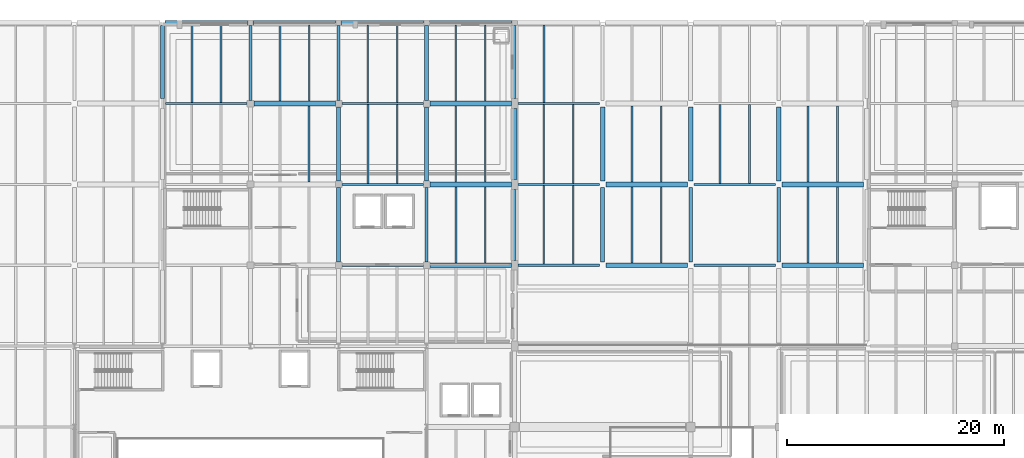
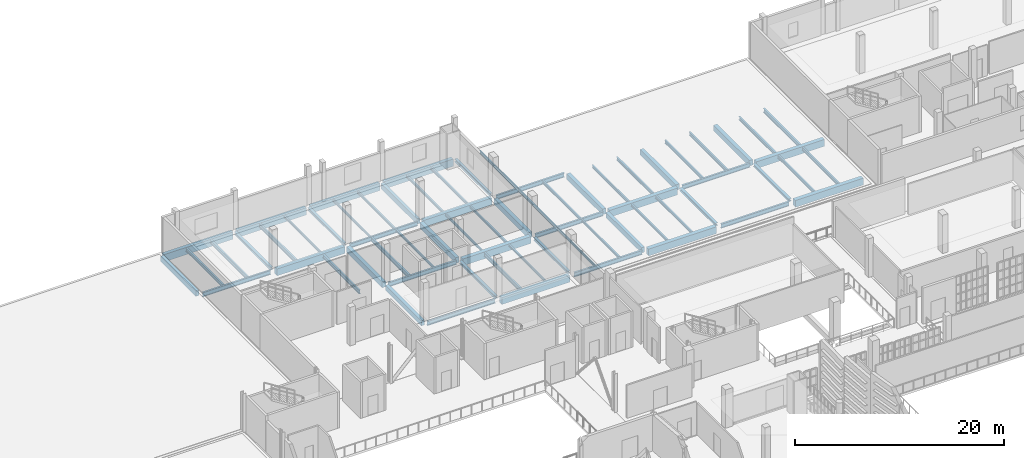
# One storey, part 32 of 73: 68 beams.
"""IFC4 building model written with IfcOpenShell, lengths in metres."""

from ifc_helpers import new_model, si_unit, direction, frame, origin, origin_2d, place, context, subcontext, project, spatial, rectangle, i_section, extrude, material, material_profile, profile_set, type_object, element, save


model = new_model("IFC4")

# Units and contexts
model_context = context("Model", 3, precision=1e-05, world=origin(), true_north=direction((0.0, 1.0)))
body_context = subcontext(model_context, "Body", "Model", "MODEL_VIEW")
ifc_project = project(units=[si_unit("LENGTHUNIT", "METRE"), si_unit("AREAUNIT", "SQUARE_METRE"), si_unit("VOLUMEUNIT", "CUBIC_METRE"), si_unit("PLANEANGLEUNIT", "RADIAN"), si_unit("MASSUNIT", "GRAM", prefix="KILO")], contexts=[model_context])

# Site, building, storey
site_placement = place(None, origin())
site = spatial("IfcSite", under=ifc_project, at=site_placement, CompositionType="ELEMENT")
building_placement = place(site_placement, origin())
building = spatial("IfcBuilding", under=site, at=building_placement, Name="Kaelora Sail Theatre", CompositionType="ELEMENT")
storey_placement = place(building_placement, frame((0.0, 0.0, 10.199951171875)))
storey = spatial("IfcBuildingStorey", under=building, at=storey_placement, Name="L02", CompositionType="ELEMENT", Elevation=10.199951171875)

# Beams
ifc_material_1 = material(Name="Steel S355", Category="steel")
ifc_material_profile_1 = material_profile(ifc_material_1, i_section(OverallWidth=0.300048828125, OverallDepth=0.31005859375, WebThickness=0.009033203125, FlangeThickness=0.015380859375, FilletRadius=0.027099609375, at=origin_2d()), Name="HEA 320")
ifc_profile_set_1 = profile_set([ifc_material_profile_1], Name="Steel S355")
beam_type_1 = type_object("IfcBeamType", Name="STR-BM-BM-HEA320", PredefinedType="BEAM", material=ifc_profile_set_1)
for number, where, z_axis, x_axis, name in (
    (1, (42.0, 105.9599609375, -0.449951171875), (0.0, 1.0, 0.0), (-1.0, 0.0, 0.0), "Primary beam 6 O-P (L02)"),
    (2, (50.10009765625, 105.9599609375, -0.449951171875), (0.0, 1.0, 0.0), (-1.0, 0.0, 0.0), "Primary beam 7 O-P (L02)"),
):
    element("IfcBeam", number, at=place(storey_placement, frame(where, z_axis=z_axis, x_axis=x_axis)), inside=storey, type_object=beam_type_1, Name=name, PredefinedType="BEAM", context=body_context, shape_type="SweptSolid", body=[
        extrude(i_section(OverallWidth=0.300048828125, OverallDepth=0.31005859375, WebThickness=0.009033203125, FlangeThickness=0.015380859375, FilletRadius=0.027099609375, at=origin_2d()), origin(), (0.0, 0.0, 1.0), 6.89013671875),
    ])
beam_1_placement = place(storey_placement, frame((58.199951171875, 91.080078125, -0.449951171875), z_axis=(0.0, 1.0, 0.0), x_axis=(-1.0, 0.0, 0.0)))
element("IfcBeam", 3, at=beam_1_placement, inside=storey, type_object=beam_type_1, Name="Primary beam 8 M-N (L02)", PredefinedType="BEAM", context=body_context, shape_type="SweptSolid", body=[
    extrude(i_section(OverallWidth=0.300048828125, OverallDepth=0.31005859375, WebThickness=0.009033203125, FlangeThickness=0.015380859375, FilletRadius=0.027099609375, at=origin_2d()), origin(), (0.0, 0.0, 1.0), 6.83984375),
])
beam_2_placement = place(storey_placement, frame((66.300048828125, 91.22998046875, -0.449951171875), z_axis=(0.0, 1.0, 0.0), x_axis=(-1.0, 0.0, 0.0)))
element("IfcBeam", 4, at=beam_2_placement, inside=storey, type_object=beam_type_1, Name="Primary beam 9 M-N (L02)", PredefinedType="BEAM", context=body_context, shape_type="SweptSolid", body=[
    extrude(i_section(OverallWidth=0.300048828125, OverallDepth=0.31005859375, WebThickness=0.009033203125, FlangeThickness=0.015380859375, FilletRadius=0.027099609375, at=origin_2d()), origin(), (0.0, 0.0, 1.0), 6.5400390625),
])
beam_3_placement = place(storey_placement, frame((66.300048828125, 106.110107421875, -0.449951171875), z_axis=(0.0, 1.0, 0.0), x_axis=(-1.0, 0.0, 0.0)))
element("IfcBeam", 5, at=beam_3_placement, inside=storey, type_object=beam_type_1, Name="Primary beam 9 O-P (L02)", PredefinedType="BEAM", context=body_context, shape_type="SweptSolid", body=[
    extrude(i_section(OverallWidth=0.300048828125, OverallDepth=0.31005859375, WebThickness=0.009033203125, FlangeThickness=0.015380859375, FilletRadius=0.027099609375, at=origin_2d()), origin(), (0.0, 0.0, 1.0), 6.739990234375),
])
for number, where, z_axis, x_axis, name in (
    (6, (82.5, 91.080078125, -0.449951171875), (0.0, 1.0, 0.0), (-1.0, 0.0, 0.0), "Primary beam 11 M-N (L02)"),
    (7, (90.60009765625, 91.080078125, -0.449951171875), (0.0, 1.0, 0.0), (-1.0, 0.0, 0.0), "Primary beam 12 M-N (L02)"),
):
    element("IfcBeam", number, at=place(storey_placement, frame(where, z_axis=z_axis, x_axis=x_axis)), inside=storey, type_object=beam_type_1, Name=name, PredefinedType="BEAM", context=body_context, shape_type="SweptSolid", body=[
        extrude(i_section(OverallWidth=0.300048828125, OverallDepth=0.31005859375, WebThickness=0.009033203125, FlangeThickness=0.015380859375, FilletRadius=0.027099609375, at=origin_2d()), origin(), (0.0, 0.0, 1.0), 6.83984375),
    ])
ifc_material_2 = material(Name="Steel S355", Category="steel")
ifc_material_profile_2 = material_profile(ifc_material_2, i_section(OverallWidth=0.18994140625, OverallDepth=0.449951171875, WebThickness=0.009521484375, FlangeThickness=0.0146484375, FilletRadius=0.02099609375, at=origin_2d()), Name="IPE 450")
ifc_profile_set_2 = profile_set([ifc_material_profile_2], Name="Steel S355")
beam_type_2 = type_object("IfcBeamType", Name="STR-BM-BM-IPE450", PredefinedType="BEAM", material=ifc_profile_set_2)
beam_4_placement = place(storey_placement, frame((39.300048828125, 105.760009765625, -0.52001953125), z_axis=(0.0, 1.0, 0.0), x_axis=(-1.0, 0.0, 0.0)))
element("IfcBeam", 8, at=beam_4_placement, inside=storey, type_object=beam_type_2, Name="Secondary floor joist 5/O-2 (L02)", PredefinedType="BEAM", context=body_context, shape_type="SweptSolid", body=[
    extrude(i_section(OverallWidth=0.18994140625, OverallDepth=0.449951171875, WebThickness=0.009521484375, FlangeThickness=0.0146484375, FilletRadius=0.02099609375, at=origin_2d()), origin(), (0.0, 0.0, 1.0), 7.139892578125),
])
beam_5_placement = place(storey_placement, frame((47.39990234375, 98.445068359375, -0.52001953125), z_axis=(0.0, 1.0, 0.0), x_axis=(-1.0, 0.0, 0.0)))
element("IfcBeam", 9, at=beam_5_placement, inside=storey, type_object=beam_type_2, Name="Secondary floor joist 6/N-2 (L02)", PredefinedType="BEAM", context=body_context, shape_type="SweptSolid", body=[
    extrude(i_section(OverallWidth=0.18994140625, OverallDepth=0.449951171875, WebThickness=0.009521484375, FlangeThickness=0.0146484375, FilletRadius=0.02099609375, at=origin_2d()), origin(), (0.0, 0.0, 1.0), 6.989990234375),
])
beam_6_placement = place(storey_placement, frame((44.699951171875, 105.885009765625, -0.52001953125), z_axis=(0.0, 1.0, 0.0), x_axis=(-1.0, 0.0, 0.0)))
element("IfcBeam", 10, at=beam_6_placement, inside=storey, type_object=beam_type_2, Name="Secondary floor joist 6/O-1 (L02)", PredefinedType="BEAM", context=body_context, shape_type="SweptSolid", body=[
    extrude(i_section(OverallWidth=0.18994140625, OverallDepth=0.449951171875, WebThickness=0.009521484375, FlangeThickness=0.0146484375, FilletRadius=0.02099609375, at=origin_2d()), origin(), (0.0, 0.0, 1.0), 7.014892578125),
])
beam_7_placement = place(storey_placement, frame((52.800048828125, 98.320068359375, -0.52001953125), z_axis=(0.0, 1.0, 0.0), x_axis=(-1.0, 0.0, 0.0)))
element("IfcBeam", 11, at=beam_7_placement, inside=storey, type_object=beam_type_2, Name="Secondary floor joist 7/N-1 (L02)", PredefinedType="BEAM", context=body_context, shape_type="SweptSolid", body=[
    extrude(i_section(OverallWidth=0.18994140625, OverallDepth=0.449951171875, WebThickness=0.009521484375, FlangeThickness=0.0146484375, FilletRadius=0.02099609375, at=origin_2d()), origin(), (0.0, 0.0, 1.0), 7.239990234375),
])
beam_8_placement = place(storey_placement, frame((60.89990234375, 91.0048828125, -0.52001953125), z_axis=(0.0, 1.0, 0.0), x_axis=(-1.0, 0.0, 0.0)))
element("IfcBeam", 12, at=beam_8_placement, inside=storey, type_object=beam_type_2, Name="Secondary floor joist 8/M-1 (L02)", PredefinedType="BEAM", context=body_context, shape_type="SweptSolid", body=[
    extrude(i_section(OverallWidth=0.18994140625, OverallDepth=0.449951171875, WebThickness=0.009521484375, FlangeThickness=0.0146484375, FilletRadius=0.02099609375, at=origin_2d()), origin(), (0.0, 0.0, 1.0), 6.990234375),
])
beam_9_placement = place(storey_placement, frame((96.0, 98.445068359375, -0.52001953125), z_axis=(0.0, 1.0, 0.0), x_axis=(-1.0, 0.0, 0.0)))
element("IfcBeam", 13, at=beam_9_placement, inside=storey, type_object=beam_type_2, Name="Secondary floor joist 12/N-2 (L02)", PredefinedType="BEAM", context=body_context, shape_type="SweptSolid", body=[
    extrude(i_section(OverallWidth=0.18994140625, OverallDepth=0.449951171875, WebThickness=0.009521484375, FlangeThickness=0.0146484375, FilletRadius=0.02099609375, at=origin_2d()), origin(), (0.0, 0.0, 1.0), 6.989990234375),
])
ifc_material_3 = material(Name="Steel S355", Category="steel")
ifc_material_profile_3 = material_profile(ifc_material_3, i_section(OverallWidth=0.199951171875, OverallDepth=0.5, WebThickness=0.01025390625, FlangeThickness=0.01611328125, FilletRadius=0.02099609375, at=origin_2d()), Name="IPE 500")
ifc_profile_set_3 = profile_set([ifc_material_profile_3], Name="Steel S355")
beam_type_3 = type_object("IfcBeamType", Name="STR-BM-BM-IPE500", PredefinedType="BEAM", material=ifc_profile_set_3)
for number, where, z_axis, x_axis, name in (
    (14, (34.199951171875, 105.659912109375, -0.544921875), (1.0, 0.0, 0.0), (0.0, 1.0, 0.0), "Primary beam O 5-6 (L02)"),
    (15, (50.39990234375, 90.780029296875, -0.544921875), (1.0, 0.0, 0.0), (0.0, 1.0, 0.0), "Primary beam M 7-8 (L02)"),
    (16, (50.39990234375, 98.219970703125, -0.544921875), (1.0, 0.0, 0.0), (0.0, 1.0, 0.0), "Primary beam N 7-8 (L02)"),
    (17, (50.39990234375, 105.659912109375, -0.544921875), (1.0, 0.0, 0.0), (0.0, 1.0, 0.0), "Primary beam O 7-8 (L02)"),
    (18, (66.60009765625, 90.780029296875, -0.544921875), (1.0, 0.0, 0.0), (0.0, 1.0, 0.0), "Primary beam M 9-10 (L02)"),
    (19, (66.60009765625, 98.219970703125, -0.544921875), (1.0, 0.0, 0.0), (0.0, 1.0, 0.0), "Primary beam N 9-10 (L02)"),
    (20, (66.60009765625, 105.659912109375, -0.544921875), (1.0, 0.0, 0.0), (0.0, 1.0, 0.0), "Primary beam O 9-10 (L02)"),
    (21, (82.800048828125, 90.780029296875, -0.544921875), (1.0, 0.0, 0.0), (0.0, 1.0, 0.0), "Primary beam M 11-12 (L02)"),
    (22, (82.800048828125, 98.219970703125, -0.544921875), (1.0, 0.0, 0.0), (0.0, 1.0, 0.0), "Primary beam N 11-12 (L02)"),
):
    element("IfcBeam", number, at=place(storey_placement, frame(where, z_axis=z_axis, x_axis=x_axis)), inside=storey, type_object=beam_type_3, Name=name, PredefinedType="BEAM", context=body_context, shape_type="SweptSolid", body=[
        extrude(i_section(OverallWidth=0.199951171875, OverallDepth=0.5, WebThickness=0.01025390625, FlangeThickness=0.01611328125, FilletRadius=0.02099609375, at=origin_2d()), origin(), (0.0, 0.0, 1.0), 7.5),
    ])
ifc_material_4 = material(Name="Concrete C40/50", Category="concrete")
ifc_material_profile_4 = material_profile(ifc_material_4, rectangle(XDim=0.35009765625, YDim=0.60009765625, at=origin_2d()), Name="RC-BM 350x600")
ifc_profile_set_4 = profile_set([ifc_material_profile_4], Name="Concrete C40/50")
beam_type_4 = type_object("IfcBeamType", Name="STR-BM-BM-RC3560", PredefinedType="BEAM", material=ifc_profile_set_4)
beam_10_placement = place(storey_placement, frame((33.89990234375, 106.110107421875, -0.594970703125), z_axis=(0.0, 1.0, 0.0), x_axis=(-1.0, 0.0, 0.0)))
element("IfcBeam", 23, at=beam_10_placement, inside=storey, type_object=beam_type_4, Name="Primary beam 5 O-P (L02)", PredefinedType="BEAM", context=body_context, shape_type="SweptSolid", body=[
    extrude(rectangle(XDim=0.35009765625, YDim=0.60009765625, at=origin_2d()), origin(), (0.0, 0.0, 1.0), 6.739990234375),
])
beam_11_placement = place(storey_placement, frame((50.10009765625, 91.080078125, -0.594970703125), z_axis=(0.0, 1.0, 0.0), x_axis=(-1.0, 0.0, 0.0)))
element("IfcBeam", 24, at=beam_11_placement, inside=storey, type_object=beam_type_4, Name="Primary beam 7 M-N (L02)", PredefinedType="BEAM", context=body_context, shape_type="SweptSolid", body=[
    extrude(rectangle(XDim=0.35009765625, YDim=0.60009765625, at=origin_2d()), origin(), (0.0, 0.0, 1.0), 6.83984375),
])
beam_12_placement = place(storey_placement, frame((58.199951171875, 105.9599609375, -0.594970703125), z_axis=(0.0, 1.0, 0.0), x_axis=(-1.0, 0.0, 0.0)))
element("IfcBeam", 25, at=beam_12_placement, inside=storey, type_object=beam_type_4, Name="Primary beam 8 O-P (L02)", PredefinedType="BEAM", context=body_context, shape_type="SweptSolid", body=[
    extrude(rectangle(XDim=0.35009765625, YDim=0.60009765625, at=origin_2d()), origin(), (0.0, 0.0, 1.0), 6.89013671875),
])
beam_13_placement = place(storey_placement, frame((74.39990234375, 91.080078125, -0.594970703125), z_axis=(0.0, 1.0, 0.0), x_axis=(-1.0, 0.0, 0.0)))
element("IfcBeam", 26, at=beam_13_placement, inside=storey, type_object=beam_type_4, Name="Primary beam 10 M-N (L02)", PredefinedType="BEAM", context=body_context, shape_type="SweptSolid", body=[
    extrude(rectangle(XDim=0.35009765625, YDim=0.60009765625, at=origin_2d()), origin(), (0.0, 0.0, 1.0), 6.83984375),
])
ifc_material_5 = material(Name="Concrete C40/50", Category="concrete")
ifc_material_profile_5 = material_profile(ifc_material_5, rectangle(XDim=0.39990234375, YDim=0.64990234375, at=origin_2d()), Name="RC-BM 400x650")
ifc_profile_set_5 = profile_set([ifc_material_profile_5], Name="Concrete C40/50")
beam_type_5 = type_object("IfcBeamType", Name="STR-BM-BM-RC4065", PredefinedType="BEAM", material=ifc_profile_set_5)
for number, where, z_axis, x_axis, name in (
    (27, (50.10009765625, 98.52001953125, -0.619873046875), (0.0, 1.0, 0.0), (-1.0, 0.0, 0.0), "Primary beam 7 N-O (L02)"),
    (28, (58.199951171875, 98.52001953125, -0.619873046875), (0.0, 1.0, 0.0), (-1.0, 0.0, 0.0), "Primary beam 8 N-O (L02)"),
):
    element("IfcBeam", number, at=place(storey_placement, frame(where, z_axis=z_axis, x_axis=x_axis)), inside=storey, type_object=beam_type_5, Name=name, PredefinedType="BEAM", context=body_context, shape_type="SweptSolid", body=[
        extrude(rectangle(XDim=0.39990234375, YDim=0.64990234375, at=origin_2d()), origin(), (0.0, 0.0, 1.0), 6.840087890625),
    ])
beam_14_placement = place(storey_placement, frame((66.300048828125, 98.669921875, -0.619873046875), z_axis=(0.0, 1.0, 0.0), x_axis=(-1.0, 0.0, 0.0)))
element("IfcBeam", 29, at=beam_14_placement, inside=storey, type_object=beam_type_5, Name="Primary beam 9 N-O (L02)", PredefinedType="BEAM", context=body_context, shape_type="SweptSolid", body=[
    extrude(rectangle(XDim=0.39990234375, YDim=0.64990234375, at=origin_2d()), origin(), (0.0, 0.0, 1.0), 6.5400390625),
])
for number, where, z_axis, x_axis, name in (
    (30, (74.39990234375, 98.52001953125, -0.619873046875), (0.0, 1.0, 0.0), (-1.0, 0.0, 0.0), "Primary beam 10 N-O (L02)"),
    (31, (82.5, 98.52001953125, -0.619873046875), (0.0, 1.0, 0.0), (-1.0, 0.0, 0.0), "Primary beam 11 N-O (L02)"),
    (32, (90.60009765625, 98.52001953125, -0.619873046875), (0.0, 1.0, 0.0), (-1.0, 0.0, 0.0), "Primary beam 12 N-O (L02)"),
):
    element("IfcBeam", number, at=place(storey_placement, frame(where, z_axis=z_axis, x_axis=x_axis)), inside=storey, type_object=beam_type_5, Name=name, PredefinedType="BEAM", context=body_context, shape_type="SweptSolid", body=[
        extrude(rectangle(XDim=0.39990234375, YDim=0.64990234375, at=origin_2d()), origin(), (0.0, 0.0, 1.0), 6.840087890625),
    ])
ifc_material_6 = material(Name="Concrete C45/55", Category="concrete")
ifc_material_profile_6 = material_profile(ifc_material_6, rectangle(XDim=0.449951171875, YDim=0.800048828125, at=origin_2d()), Name="RC-BM 450x800")
ifc_profile_set_6 = profile_set([ifc_material_profile_6], Name="Concrete C45/55")
beam_type_6 = type_object("IfcBeamType", Name="STR-BM-BM-RC4580", PredefinedType="BEAM", material=ifc_profile_set_6)
for number, where, z_axis, x_axis, name in (
    (33, (42.300048828125, 105.659912109375, -0.695068359375), (1.0, 0.0, 0.0), (0.0, 1.0, 0.0), "Primary beam O 6-7 (L02)"),
    (34, (58.5, 90.780029296875, -0.695068359375), (1.0, 0.0, 0.0), (0.0, 1.0, 0.0), "Primary beam M 8-9 (L02)"),
    (35, (58.5, 98.219970703125, -0.695068359375), (1.0, 0.0, 0.0), (0.0, 1.0, 0.0), "Primary beam N 8-9 (L02)"),
    (36, (58.5, 105.659912109375, -0.695068359375), (1.0, 0.0, 0.0), (0.0, 1.0, 0.0), "Primary beam O 8-9 (L02)"),
    (37, (74.699951171875, 90.780029296875, -0.695068359375), (1.0, 0.0, 0.0), (0.0, 1.0, 0.0), "Primary beam M 10-11 (L02)"),
    (38, (74.699951171875, 98.219970703125, -0.695068359375), (1.0, 0.0, 0.0), (0.0, 1.0, 0.0), "Primary beam N 10-11 (L02)"),
    (39, (90.89990234375, 90.780029296875, -0.695068359375), (1.0, 0.0, 0.0), (0.0, 1.0, 0.0), "Primary beam M 12-13 (L02)"),
    (40, (90.89990234375, 98.219970703125, -0.695068359375), (1.0, 0.0, 0.0), (0.0, 1.0, 0.0), "Primary beam N 12-13 (L02)"),
):
    element("IfcBeam", number, at=place(storey_placement, frame(where, z_axis=z_axis, x_axis=x_axis)), inside=storey, type_object=beam_type_6, Name=name, PredefinedType="BEAM", context=body_context, shape_type="SweptSolid", body=[
        extrude(rectangle(XDim=0.449951171875, YDim=0.800048828125, at=origin_2d()), origin(), (0.0, 0.0, 1.0), 7.5),
    ])
ifc_material_7 = material(Name="Steel S355", Category="steel")
ifc_material_profile_7 = material_profile(ifc_material_7, i_section(OverallWidth=0.135009765625, OverallDepth=0.27001953125, WebThickness=0.006591796875, FlangeThickness=0.01025390625, FilletRadius=0.014892578125, at=origin_2d()), Name="IPE 270")
ifc_profile_set_7 = profile_set([ifc_material_profile_7], Name="Steel S355")
beam_type_7 = type_object("IfcBeamType", Name="STR-BM-JS-IPE270", PredefinedType="JOIST", material=ifc_profile_set_7)
beam_15_placement = place(storey_placement, frame((47.39990234375, 105.885009765625, -0.429931640625), z_axis=(0.0, 1.0, 0.0), x_axis=(-1.0, 0.0, 0.0)))
element("IfcBeam", 41, at=beam_15_placement, inside=storey, type_object=beam_type_7, Name="Secondary floor joist 6/O-2 (L02)", PredefinedType="JOIST", context=body_context, shape_type="SweptSolid", body=[
    extrude(i_section(OverallWidth=0.135009765625, OverallDepth=0.27001953125, WebThickness=0.006591796875, FlangeThickness=0.01025390625, FilletRadius=0.014892578125, at=origin_2d()), origin(), (0.0, 0.0, 1.0), 7.014892578125),
])
beam_16_placement = place(storey_placement, frame((55.5, 98.320068359375, -0.429931640625), z_axis=(0.0, 1.0, 0.0), x_axis=(-1.0, 0.0, 0.0)))
element("IfcBeam", 42, at=beam_16_placement, inside=storey, type_object=beam_type_7, Name="Secondary floor joist 7/N-2 (L02)", PredefinedType="JOIST", context=body_context, shape_type="SweptSolid", body=[
    extrude(i_section(OverallWidth=0.135009765625, OverallDepth=0.27001953125, WebThickness=0.006591796875, FlangeThickness=0.01025390625, FilletRadius=0.014892578125, at=origin_2d()), origin(), (0.0, 0.0, 1.0), 7.239990234375),
])
beam_17_placement = place(storey_placement, frame((52.800048828125, 105.760009765625, -0.429931640625), z_axis=(0.0, 1.0, 0.0), x_axis=(-1.0, 0.0, 0.0)))
element("IfcBeam", 43, at=beam_17_placement, inside=storey, type_object=beam_type_7, Name="Secondary floor joist 7/O-1 (L02)", PredefinedType="JOIST", context=body_context, shape_type="SweptSolid", body=[
    extrude(i_section(OverallWidth=0.135009765625, OverallDepth=0.27001953125, WebThickness=0.006591796875, FlangeThickness=0.01025390625, FilletRadius=0.014892578125, at=origin_2d()), origin(), (0.0, 0.0, 1.0), 7.139892578125),
])
beam_18_placement = place(storey_placement, frame((63.60009765625, 91.0048828125, -0.429931640625), z_axis=(0.0, 1.0, 0.0), x_axis=(-1.0, 0.0, 0.0)))
element("IfcBeam", 44, at=beam_18_placement, inside=storey, type_object=beam_type_7, Name="Secondary floor joist 8/M-2 (L02)", PredefinedType="JOIST", context=body_context, shape_type="SweptSolid", body=[
    extrude(i_section(OverallWidth=0.135009765625, OverallDepth=0.27001953125, WebThickness=0.006591796875, FlangeThickness=0.01025390625, FilletRadius=0.014892578125, at=origin_2d()), origin(), (0.0, 0.0, 1.0), 6.990234375),
])
beam_19_placement = place(storey_placement, frame((60.89990234375, 98.445068359375, -0.429931640625), z_axis=(0.0, 1.0, 0.0), x_axis=(-1.0, 0.0, 0.0)))
element("IfcBeam", 45, at=beam_19_placement, inside=storey, type_object=beam_type_7, Name="Secondary floor joist 8/N-1 (L02)", PredefinedType="JOIST", context=body_context, shape_type="SweptSolid", body=[
    extrude(i_section(OverallWidth=0.135009765625, OverallDepth=0.27001953125, WebThickness=0.006591796875, FlangeThickness=0.01025390625, FilletRadius=0.014892578125, at=origin_2d()), origin(), (0.0, 0.0, 1.0), 6.989990234375),
])
beam_20_placement = place(storey_placement, frame((69.0, 90.8798828125, -0.429931640625), z_axis=(0.0, 1.0, 0.0), x_axis=(-1.0, 0.0, 0.0)))
element("IfcBeam", 46, at=beam_20_placement, inside=storey, type_object=beam_type_7, Name="Secondary floor joist 9/M-1 (L02)", PredefinedType="JOIST", context=body_context, shape_type="SweptSolid", body=[
    extrude(i_section(OverallWidth=0.135009765625, OverallDepth=0.27001953125, WebThickness=0.006591796875, FlangeThickness=0.01025390625, FilletRadius=0.014892578125, at=origin_2d()), origin(), (0.0, 0.0, 1.0), 7.240234375),
])
ifc_material_8 = material(Name="Steel S355", Category="steel")
ifc_material_profile_8 = material_profile(ifc_material_8, i_section(OverallWidth=0.14990234375, OverallDepth=0.300048828125, WebThickness=0.007080078125, FlangeThickness=0.0107421875, FilletRadius=0.014892578125, at=origin_2d()), Name="IPE 300")
ifc_profile_set_8 = profile_set([ifc_material_profile_8], Name="Steel S355")
beam_type_8 = type_object("IfcBeamType", Name="STR-BM-JS-IPE300", PredefinedType="JOIST", material=ifc_profile_set_8)
beam_21_placement = place(storey_placement, frame((55.5, 105.760009765625, -0.445068359375), z_axis=(0.0, 1.0, 0.0), x_axis=(-1.0, 0.0, 0.0)))
element("IfcBeam", 47, at=beam_21_placement, inside=storey, type_object=beam_type_8, Name="Secondary floor joist 7/O-2 (L02)", PredefinedType="JOIST", context=body_context, shape_type="SweptSolid", body=[
    extrude(i_section(OverallWidth=0.14990234375, OverallDepth=0.300048828125, WebThickness=0.007080078125, FlangeThickness=0.0107421875, FilletRadius=0.014892578125, at=origin_2d()), origin(), (0.0, 0.0, 1.0), 7.139892578125),
])
beam_22_placement = place(storey_placement, frame((63.60009765625, 98.445068359375, -0.445068359375), z_axis=(0.0, 1.0, 0.0), x_axis=(-1.0, 0.0, 0.0)))
element("IfcBeam", 48, at=beam_22_placement, inside=storey, type_object=beam_type_8, Name="Secondary floor joist 8/N-2 (L02)", PredefinedType="JOIST", context=body_context, shape_type="SweptSolid", body=[
    extrude(i_section(OverallWidth=0.14990234375, OverallDepth=0.300048828125, WebThickness=0.007080078125, FlangeThickness=0.0107421875, FilletRadius=0.014892578125, at=origin_2d()), origin(), (0.0, 0.0, 1.0), 6.989990234375),
])
beam_23_placement = place(storey_placement, frame((60.89990234375, 105.885009765625, -0.445068359375), z_axis=(0.0, 1.0, 0.0), x_axis=(-1.0, 0.0, 0.0)))
element("IfcBeam", 49, at=beam_23_placement, inside=storey, type_object=beam_type_8, Name="Secondary floor joist 8/O-1 (L02)", PredefinedType="JOIST", context=body_context, shape_type="SweptSolid", body=[
    extrude(i_section(OverallWidth=0.14990234375, OverallDepth=0.300048828125, WebThickness=0.007080078125, FlangeThickness=0.0107421875, FilletRadius=0.014892578125, at=origin_2d()), origin(), (0.0, 0.0, 1.0), 7.014892578125),
])
beam_24_placement = place(storey_placement, frame((71.699951171875, 90.8798828125, -0.445068359375), z_axis=(0.0, 1.0, 0.0), x_axis=(-1.0, 0.0, 0.0)))
element("IfcBeam", 50, at=beam_24_placement, inside=storey, type_object=beam_type_8, Name="Secondary floor joist 9/M-2 (L02)", PredefinedType="JOIST", context=body_context, shape_type="SweptSolid", body=[
    extrude(i_section(OverallWidth=0.14990234375, OverallDepth=0.300048828125, WebThickness=0.007080078125, FlangeThickness=0.0107421875, FilletRadius=0.014892578125, at=origin_2d()), origin(), (0.0, 0.0, 1.0), 7.240234375),
])
beam_25_placement = place(storey_placement, frame((69.0, 98.320068359375, -0.445068359375), z_axis=(0.0, 1.0, 0.0), x_axis=(-1.0, 0.0, 0.0)))
element("IfcBeam", 51, at=beam_25_placement, inside=storey, type_object=beam_type_8, Name="Secondary floor joist 9/N-1 (L02)", PredefinedType="JOIST", context=body_context, shape_type="SweptSolid", body=[
    extrude(i_section(OverallWidth=0.14990234375, OverallDepth=0.300048828125, WebThickness=0.007080078125, FlangeThickness=0.0107421875, FilletRadius=0.014892578125, at=origin_2d()), origin(), (0.0, 0.0, 1.0), 7.239990234375),
])
beam_26_placement = place(storey_placement, frame((77.10009765625, 91.0048828125, -0.445068359375), z_axis=(0.0, 1.0, 0.0), x_axis=(-1.0, 0.0, 0.0)))
element("IfcBeam", 52, at=beam_26_placement, inside=storey, type_object=beam_type_8, Name="Secondary floor joist 10/M-1 (L02)", PredefinedType="JOIST", context=body_context, shape_type="SweptSolid", body=[
    extrude(i_section(OverallWidth=0.14990234375, OverallDepth=0.300048828125, WebThickness=0.007080078125, FlangeThickness=0.0107421875, FilletRadius=0.014892578125, at=origin_2d()), origin(), (0.0, 0.0, 1.0), 6.990234375),
])
ifc_material_9 = material(Name="Steel S355", Category="steel")
ifc_material_profile_9 = material_profile(ifc_material_9, i_section(OverallWidth=0.159912109375, OverallDepth=0.330078125, WebThickness=0.007568359375, FlangeThickness=0.011474609375, FilletRadius=0.01806640625, at=origin_2d()), Name="IPE 330")
ifc_profile_set_9 = profile_set([ifc_material_profile_9], Name="Steel S355")
beam_type_9 = type_object("IfcBeamType", Name="STR-BM-JS-IPE330", PredefinedType="JOIST", material=ifc_profile_set_9)
beam_27_placement = place(storey_placement, frame((63.60009765625, 105.885009765625, -0.4599609375), z_axis=(0.0, 1.0, 0.0), x_axis=(-1.0, 0.0, 0.0)))
element("IfcBeam", 53, at=beam_27_placement, inside=storey, type_object=beam_type_9, Name="Secondary floor joist 8/O-2 (L02)", PredefinedType="JOIST", context=body_context, shape_type="SweptSolid", body=[
    extrude(i_section(OverallWidth=0.159912109375, OverallDepth=0.330078125, WebThickness=0.007568359375, FlangeThickness=0.011474609375, FilletRadius=0.01806640625, at=origin_2d()), origin(), (0.0, 0.0, 1.0), 7.014892578125),
])
beam_28_placement = place(storey_placement, frame((71.699951171875, 98.320068359375, -0.4599609375), z_axis=(0.0, 1.0, 0.0), x_axis=(-1.0, 0.0, 0.0)))
element("IfcBeam", 54, at=beam_28_placement, inside=storey, type_object=beam_type_9, Name="Secondary floor joist 9/N-2 (L02)", PredefinedType="JOIST", context=body_context, shape_type="SweptSolid", body=[
    extrude(i_section(OverallWidth=0.159912109375, OverallDepth=0.330078125, WebThickness=0.007568359375, FlangeThickness=0.011474609375, FilletRadius=0.01806640625, at=origin_2d()), origin(), (0.0, 0.0, 1.0), 7.239990234375),
])
beam_29_placement = place(storey_placement, frame((69.0, 105.760009765625, -0.4599609375), z_axis=(0.0, 1.0, 0.0), x_axis=(-1.0, 0.0, 0.0)))
element("IfcBeam", 55, at=beam_29_placement, inside=storey, type_object=beam_type_9, Name="Secondary floor joist 9/O-1 (L02)", PredefinedType="JOIST", context=body_context, shape_type="SweptSolid", body=[
    extrude(i_section(OverallWidth=0.159912109375, OverallDepth=0.330078125, WebThickness=0.007568359375, FlangeThickness=0.011474609375, FilletRadius=0.01806640625, at=origin_2d()), origin(), (0.0, 0.0, 1.0), 7.139892578125),
])
beam_30_placement = place(storey_placement, frame((79.800048828125, 91.0048828125, -0.4599609375), z_axis=(0.0, 1.0, 0.0), x_axis=(-1.0, 0.0, 0.0)))
element("IfcBeam", 56, at=beam_30_placement, inside=storey, type_object=beam_type_9, Name="Secondary floor joist 10/M-2 (L02)", PredefinedType="JOIST", context=body_context, shape_type="SweptSolid", body=[
    extrude(i_section(OverallWidth=0.159912109375, OverallDepth=0.330078125, WebThickness=0.007568359375, FlangeThickness=0.011474609375, FilletRadius=0.01806640625, at=origin_2d()), origin(), (0.0, 0.0, 1.0), 6.990234375),
])
beam_31_placement = place(storey_placement, frame((77.10009765625, 98.445068359375, -0.4599609375), z_axis=(0.0, 1.0, 0.0), x_axis=(-1.0, 0.0, 0.0)))
element("IfcBeam", 57, at=beam_31_placement, inside=storey, type_object=beam_type_9, Name="Secondary floor joist 10/N-1 (L02)", PredefinedType="JOIST", context=body_context, shape_type="SweptSolid", body=[
    extrude(i_section(OverallWidth=0.159912109375, OverallDepth=0.330078125, WebThickness=0.007568359375, FlangeThickness=0.011474609375, FilletRadius=0.01806640625, at=origin_2d()), origin(), (0.0, 0.0, 1.0), 6.989990234375),
])
ifc_material_10 = material(Name="Steel S355", Category="steel")
ifc_material_profile_10 = material_profile(ifc_material_10, i_section(OverallWidth=0.169921875, OverallDepth=0.360107421875, WebThickness=0.008056640625, FlangeThickness=0.0126953125, FilletRadius=0.01806640625, at=origin_2d()), Name="IPE 360")
ifc_profile_set_10 = profile_set([ifc_material_profile_10], Name="Steel S355")
beam_type_10 = type_object("IfcBeamType", Name="STR-BM-JS-IPE360", PredefinedType="JOIST", material=ifc_profile_set_10)
beam_32_placement = place(storey_placement, frame((79.800048828125, 98.445068359375, -0.474853515625), z_axis=(0.0, 1.0, 0.0), x_axis=(-1.0, 0.0, 0.0)))
element("IfcBeam", 58, at=beam_32_placement, inside=storey, type_object=beam_type_10, Name="Secondary floor joist 10/N-2 (L02)", PredefinedType="JOIST", context=body_context, shape_type="SweptSolid", body=[
    extrude(i_section(OverallWidth=0.169921875, OverallDepth=0.360107421875, WebThickness=0.008056640625, FlangeThickness=0.0126953125, FilletRadius=0.01806640625, at=origin_2d()), origin(), (0.0, 0.0, 1.0), 6.989990234375),
])
beam_33_placement = place(storey_placement, frame((85.199951171875, 98.320068359375, -0.474853515625), z_axis=(0.0, 1.0, 0.0), x_axis=(-1.0, 0.0, 0.0)))
element("IfcBeam", 59, at=beam_33_placement, inside=storey, type_object=beam_type_10, Name="Secondary floor joist 11/N-1 (L02)", PredefinedType="JOIST", context=body_context, shape_type="SweptSolid", body=[
    extrude(i_section(OverallWidth=0.169921875, OverallDepth=0.360107421875, WebThickness=0.008056640625, FlangeThickness=0.0126953125, FilletRadius=0.01806640625, at=origin_2d()), origin(), (0.0, 0.0, 1.0), 7.239990234375),
])
beam_34_placement = place(storey_placement, frame((93.300048828125, 91.0048828125, -0.474853515625), z_axis=(0.0, 1.0, 0.0), x_axis=(-1.0, 0.0, 0.0)))
element("IfcBeam", 60, at=beam_34_placement, inside=storey, type_object=beam_type_10, Name="Secondary floor joist 12/M-1 (L02)", PredefinedType="JOIST", context=body_context, shape_type="SweptSolid", body=[
    extrude(i_section(OverallWidth=0.169921875, OverallDepth=0.360107421875, WebThickness=0.008056640625, FlangeThickness=0.0126953125, FilletRadius=0.01806640625, at=origin_2d()), origin(), (0.0, 0.0, 1.0), 6.990234375),
])
ifc_material_11 = material(Name="Steel S355", Category="steel")
ifc_material_profile_11 = material_profile(ifc_material_11, i_section(OverallWidth=0.179931640625, OverallDepth=0.39990234375, WebThickness=0.008544921875, FlangeThickness=0.013427734375, FilletRadius=0.02099609375, at=origin_2d()), Name="IPE 400")
ifc_profile_set_11 = profile_set([ifc_material_profile_11], Name="Steel S355")
beam_type_11 = type_object("IfcBeamType", Name="STR-BM-JS-IPE400", PredefinedType="JOIST", material=ifc_profile_set_11)
beam_35_placement = place(storey_placement, frame((36.60009765625, 105.760009765625, -0.494873046875), z_axis=(0.0, 1.0, 0.0), x_axis=(-1.0, 0.0, 0.0)))
element("IfcBeam", 61, at=beam_35_placement, inside=storey, type_object=beam_type_11, Name="Secondary floor joist 5/O-1 (L02)", PredefinedType="JOIST", context=body_context, shape_type="SweptSolid", body=[
    extrude(i_section(OverallWidth=0.179931640625, OverallDepth=0.39990234375, WebThickness=0.008544921875, FlangeThickness=0.013427734375, FilletRadius=0.02099609375, at=origin_2d()), origin(), (0.0, 0.0, 1.0), 7.139892578125),
])
beam_36_placement = place(storey_placement, frame((87.89990234375, 98.320068359375, -0.494873046875), z_axis=(0.0, 1.0, 0.0), x_axis=(-1.0, 0.0, 0.0)))
element("IfcBeam", 62, at=beam_36_placement, inside=storey, type_object=beam_type_11, Name="Secondary floor joist 11/N-2 (L02)", PredefinedType="JOIST", context=body_context, shape_type="SweptSolid", body=[
    extrude(i_section(OverallWidth=0.179931640625, OverallDepth=0.39990234375, WebThickness=0.008544921875, FlangeThickness=0.013427734375, FilletRadius=0.02099609375, at=origin_2d()), origin(), (0.0, 0.0, 1.0), 7.239990234375),
])
beam_37_placement = place(storey_placement, frame((96.0, 91.0048828125, -0.494873046875), z_axis=(0.0, 1.0, 0.0), x_axis=(-1.0, 0.0, 0.0)))
element("IfcBeam", 63, at=beam_37_placement, inside=storey, type_object=beam_type_11, Name="Secondary floor joist 12/M-2 (L02)", PredefinedType="JOIST", context=body_context, shape_type="SweptSolid", body=[
    extrude(i_section(OverallWidth=0.179931640625, OverallDepth=0.39990234375, WebThickness=0.008544921875, FlangeThickness=0.013427734375, FilletRadius=0.02099609375, at=origin_2d()), origin(), (0.0, 0.0, 1.0), 6.990234375),
])
beam_38_placement = place(storey_placement, frame((93.300048828125, 98.445068359375, -0.494873046875), z_axis=(0.0, 1.0, 0.0), x_axis=(-1.0, 0.0, 0.0)))
element("IfcBeam", 64, at=beam_38_placement, inside=storey, type_object=beam_type_11, Name="Secondary floor joist 12/N-1 (L02)", PredefinedType="JOIST", context=body_context, shape_type="SweptSolid", body=[
    extrude(i_section(OverallWidth=0.179931640625, OverallDepth=0.39990234375, WebThickness=0.008544921875, FlangeThickness=0.013427734375, FilletRadius=0.02099609375, at=origin_2d()), origin(), (0.0, 0.0, 1.0), 6.989990234375),
])
ifc_material_12 = material(Name="Concrete C45/55", Category="concrete")
ifc_material_profile_12 = material_profile(ifc_material_12, rectangle(XDim=0.39990234375, YDim=0.85009765625, at=origin_2d()), Name="RC-SPN 400x850")
ifc_profile_set_12 = profile_set([ifc_material_profile_12], Name="Concrete C45/55")
beam_type_12 = type_object("IfcBeamType", Name="STR-BM-SP-RC4085", PredefinedType="SPANDREL", material=ifc_profile_set_12)
for number, where, z_axis, x_axis, name in (
    (65, (34.14990234375, 113.10009765625, -0.719970703125), (1.0, 0.0, 0.0), (0.0, 1.0, 0.0), "Primary beam P 5-6 (L02)"),
    (66, (42.25, 113.10009765625, -0.719970703125), (1.0, 0.0, 0.0), (0.0, 1.0, 0.0), "Primary beam P 6-7 (L02)"),
):
    element("IfcBeam", number, at=place(storey_placement, frame(where, z_axis=z_axis, x_axis=x_axis)), inside=storey, type_object=beam_type_12, Name=name, PredefinedType="SPANDREL", context=body_context, shape_type="SweptSolid", body=[
        extrude(rectangle(XDim=0.39990234375, YDim=0.85009765625, at=origin_2d()), origin(), (0.0, 0.0, 1.0), 7.60009765625),
    ])
beam_39_placement = place(storey_placement, frame((50.35009765625, 113.10009765625, -0.719970703125), z_axis=(1.0, 0.0, 0.0), x_axis=(0.0, 1.0, 0.0)))
element("IfcBeam", 67, at=beam_39_placement, inside=storey, type_object=beam_type_12, Name="Primary beam P 7-8 (L02)", PredefinedType="SPANDREL", context=body_context, shape_type="SweptSolid", body=[
    extrude(rectangle(XDim=0.39990234375, YDim=0.85009765625, at=origin_2d()), origin(), (0.0, 0.0, 1.0), 7.599853515625),
])
beam_40_placement = place(storey_placement, frame((58.449951171875, 113.10009765625, -0.719970703125), z_axis=(1.0, 0.0, 0.0), x_axis=(0.0, 1.0, 0.0)))
element("IfcBeam", 68, at=beam_40_placement, inside=storey, type_object=beam_type_12, Name="Primary beam P 8-9 (L02)", PredefinedType="SPANDREL", context=body_context, shape_type="SweptSolid", body=[
    extrude(rectangle(XDim=0.39990234375, YDim=0.85009765625, at=origin_2d()), origin(), (0.0, 0.0, 1.0), 7.60009765625),
])

save(model, "model.ifc")
